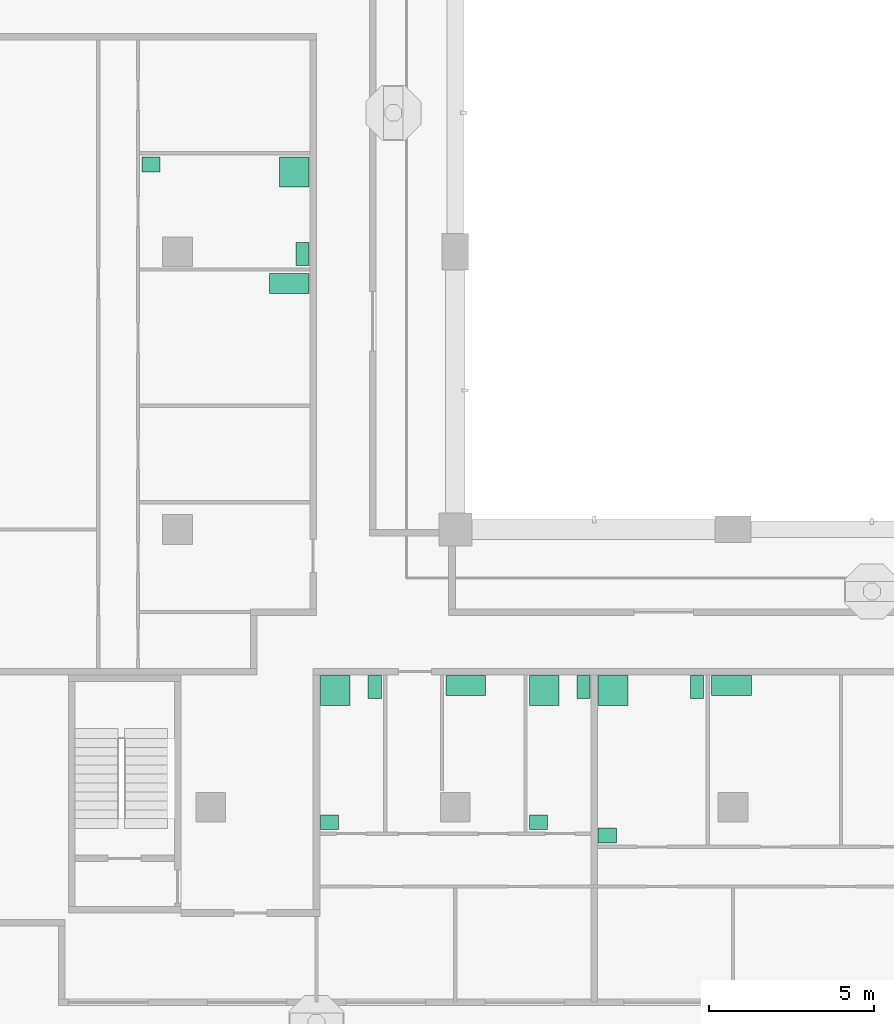
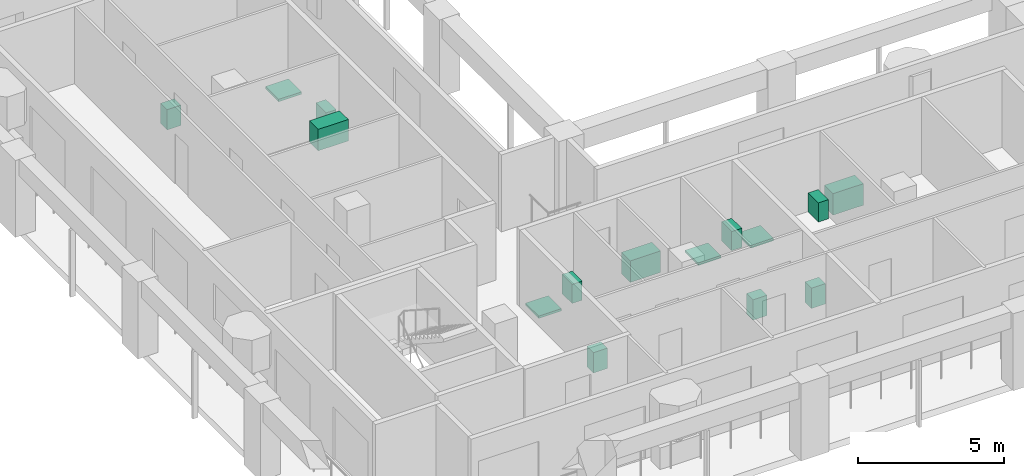
# One storey, part 10 of 12: 15 sanitary terminals.
"""IFC4 building model written with IfcOpenShell, lengths in metres."""

import ifcopenshell
import ifcopenshell.guid

model = None  # the IFC model being written
_history = None  # IfcOwnerHistory: only IFC2X3 demands one
_inside = {}  # id of a spatial element -> (the spatial element, [elements in it])
_under = {}  # id of a project, library or spatial element -> (it, [spatial elements below it])
_declared = {}  # id of a project -> (the project, [libraries it declares])
_typed = {}  # id of a type object -> (the type object, [elements of that type])
_made_of = {}  # id of a material, layer set ... -> (it, [elements and type objects made of it])


def new_model(schema):
    """Start an empty IFC model of exactly this schema.

    Asked for "IFC4X3", IfcOpenShell would pick the latest addendum, in which some entities
    have other attributes; the version numbers below select the first issue.
    IFC2X3 requires an IfcOwnerHistory on every rooted entity: one is made here for all.
    """
    global model, _history
    if schema == "IFC4X3":
        model = ifcopenshell.file(schema_version=(4, 3, 0, 0))
    else:
        model = ifcopenshell.file(schema=schema)
    _inside.clear()
    _under.clear()
    _declared.clear()
    _typed.clear()
    _made_of.clear()
    _history = None
    if model.schema == "IFC2X3":
        org = make("IfcOrganization", Name="unknown")
        user = make(
            "IfcPersonAndOrganization",
            ThePerson=make("IfcPerson", FamilyName="unknown"),
            TheOrganization=org,
        )
        app = make(
            "IfcApplication",
            ApplicationDeveloper=org,
            Version="unknown",
            ApplicationFullName="unknown",
            ApplicationIdentifier="unknown",
        )
        _history = make(
            "IfcOwnerHistory",
            OwningUser=user,
            OwningApplication=app,
            ChangeAction="ADDED",
            CreationDate=0,
        )
    return model


def make(cls, **values):
    """One entity of the class cls with the attributes given. An attribute that is None is left unset."""
    return model.create_entity(
        cls, **{name: value for name, value in values.items() if value is not None}
    )


def rooted(cls, **values):
    """An entity with a GlobalId (a new one), such as an element, a storey or a relation."""
    return make(cls, GlobalId=ifcopenshell.guid.new(), OwnerHistory=_history, **values)


def si_unit(unit_type, name, prefix=None):
    """IfcSIUnit, for example si_unit("LENGTHUNIT", "METRE", prefix="MILLI")."""
    return make("IfcSIUnit", UnitType=unit_type, Prefix=prefix, Name=name)


def assignment(units):
    """IfcUnitAssignment: the units of a project."""
    return None if units is None else make("IfcUnitAssignment", Units=units)


def point(xyz):
    """IfcCartesianPoint."""
    return None if xyz is None else make("IfcCartesianPoint", Coordinates=xyz)


def direction(xyz):
    """IfcDirection."""
    return None if xyz is None else make("IfcDirection", DirectionRatios=xyz)


def frame(location, z_axis=None, x_axis=None):
    """IfcAxis2Placement3D, a coordinate frame: its origin and axes. An axis left out is left unset."""
    return make(
        "IfcAxis2Placement3D",
        Location=point(location),
        Axis=direction(z_axis),
        RefDirection=direction(x_axis),
    )


def frame_2d(location, x_axis=None):
    """IfcAxis2Placement2D, a coordinate frame in the plane: its origin and x axis."""
    return make(
        "IfcAxis2Placement2D", Location=point(location), RefDirection=direction(x_axis)
    )


def origin():
    """The frame at (0, 0, 0) with its axes left unset."""
    return frame((0.0, 0.0, 0.0))


def origin_2d():
    """The frame at (0, 0) in the plane with its x axis left unset."""
    return frame_2d((0.0, 0.0))


def place(relative_to, where):
    """IfcLocalPlacement: puts the frame where relative to a parent placement (None: the world)."""
    return make(
        "IfcLocalPlacement", PlacementRelTo=relative_to, RelativePlacement=where
    )


def context(
    kind, dimensions, precision=None, world=None, true_north=None, identifier=None
):
    """IfcGeometricRepresentationContext, for example the 3D "Model" context."""
    return make(
        "IfcGeometricRepresentationContext",
        ContextIdentifier=identifier,
        ContextType=kind,
        CoordinateSpaceDimension=dimensions,
        Precision=precision,
        WorldCoordinateSystem=world,
        TrueNorth=true_north,
    )


def subcontext(parent, identifier, kind, view, scale=None):
    """IfcGeometricRepresentationSubContext, for example "Body" below "Model"."""
    return make(
        "IfcGeometricRepresentationSubContext",
        ContextIdentifier=identifier,
        ContextType=kind,
        ParentContext=parent,
        TargetScale=scale,
        TargetView=view,
    )


def project(units=None, contexts=None):
    """IfcProject with its units and contexts."""
    return rooted(
        "IfcProject",
        Name="project",
        RepresentationContexts=contexts,
        UnitsInContext=assignment(units),
    )


def spatial(cls, under=None, at=None, **own):
    """A site, building, storey or space (cls), placed at a placement, below another one or the project."""
    s = rooted(cls, ObjectPlacement=at, **own)
    if under is not None:
        _under.setdefault(under.id(), (under, []))[1].append(s)
    return s


def profile(cls, at=None, kind="AREA", **sizes):
    """A parametric profile (cls). Its sizes go by their IFC names, for example OverallWidth=200.0."""
    return make(cls, ProfileType=kind, Position=at, **sizes)


def rectangle(**sizes):
    """IfcRectangleProfileDef."""
    return profile("IfcRectangleProfileDef", **sizes)


def extrude(swept, where, along, depth):
    """IfcExtrudedAreaSolid: the profile swept, set in the frame where, extruded along a direction by depth."""
    return make(
        "IfcExtrudedAreaSolid",
        SweptArea=swept,
        Position=where,
        ExtrudedDirection=direction(along),
        Depth=depth,
    )


def shape(context_of_items, identifier, shape_type, items):
    """IfcShapeRepresentation: the items that make up one representation, for example the "Body"."""
    return make(
        "IfcShapeRepresentation",
        ContextOfItems=context_of_items,
        RepresentationIdentifier=identifier,
        RepresentationType=shape_type,
        Items=items,
    )


def material(Name=None, Category=None):
    """IfcMaterial."""
    return make("IfcMaterial", Name=Name, Category=Category)


def made_of(thing, what):
    """Note that an element or type object is made of a material, layer set ...; save() writes the relation."""
    if what is not None:
        _made_of.setdefault(what.id(), (what, []))[1].append(thing)
    return thing


def element(
    cls,
    number,
    at=None,
    inside=None,
    cuts=None,
    type_object=None,
    material=None,
    context=None,
    identifier="Body",
    shape_type=None,
    held_by="IfcProductDefinitionShape",
    body=None,
    shapes=None,
    **own,
):
    """One element of the class cls, such as IfcWall. Its Tag is "e" and its number.

    at: its placement. inside: the storey or other place that contains it. cuts: it is an
    opening in that element (IfcRelVoidsElement). A single representation is given by context,
    identifier, shape_type and body (its items); several are given by shapes. held_by: the class
    of the entity that holds the representations. save() writes the other relations.
    """
    e = rooted(cls, Tag="e%d" % number, ObjectPlacement=at, **own)
    if body is not None:
        shapes = [shape(context, identifier, shape_type, body)]
    if shapes is not None:
        e.Representation = make(held_by, Representations=shapes)
    if inside is not None:
        _inside.setdefault(inside.id(), (inside, []))[1].append(e)
    if cuts is not None:
        rooted(
            "IfcRelVoidsElement", RelatingBuildingElement=cuts, RelatedOpeningElement=e
        )
    if type_object is not None:
        _typed.setdefault(type_object.id(), (type_object, []))[1].append(e)
    return made_of(e, material)


def aggregate(whole, parts):
    """IfcRelAggregates: a whole, such as a stair, and the parts it consists of."""
    return rooted("IfcRelAggregates", RelatingObject=whole, RelatedObjects=parts)


def save(model, path):
    """Write the relations noted so far, then the file.

    IfcRelAggregates (storeys below a building ...), IfcRelContainedInSpatialStructure (elements
    in a storey), IfcRelDefinesByType, IfcRelAssociatesMaterial and IfcRelDeclares: one each for
    every whole, place, type object, material and project.
    """
    for whole, parts in _under.values():
        aggregate(whole, parts)
    for where, things in _inside.values():
        rooted(
            "IfcRelContainedInSpatialStructure",
            RelatedElements=things,
            RelatingStructure=where,
        )
    for kind, things in _typed.values():
        rooted("IfcRelDefinesByType", RelatedObjects=things, RelatingType=kind)
    for what, things in _made_of.values():
        rooted("IfcRelAssociatesMaterial", RelatedObjects=things, RelatingMaterial=what)
    for by, libraries in _declared.values():
        rooted("IfcRelDeclares", RelatingContext=by, RelatedDefinitions=libraries)
    model.write(path)


model = new_model("IFC4")

# Units and contexts
model_context = context("Model", 3, precision=1e-05, world=origin(), true_north=direction((0.0, 1.0)))
body_context = subcontext(model_context, "Body", "Model", "MODEL_VIEW")
ifc_project = project(units=[si_unit("LENGTHUNIT", "METRE"), si_unit("AREAUNIT", "SQUARE_METRE"), si_unit("VOLUMEUNIT", "CUBIC_METRE"), si_unit("PLANEANGLEUNIT", "RADIAN"), si_unit("MASSUNIT", "GRAM", prefix="KILO")], contexts=[model_context])

# Site, building, storey
site_placement = place(None, origin())
site = spatial("IfcSite", under=ifc_project, at=site_placement, CompositionType="ELEMENT")
building_placement = place(site_placement, origin())
building = spatial("IfcBuilding", under=site, at=building_placement, Name="Vermilion Gate Residences", CompositionType="ELEMENT")
storey_placement = place(building_placement, frame((0.0, 0.0, 238.699951171875)))
storey = spatial("IfcBuildingStorey", under=building, at=storey_placement, Name="L62", CompositionType="ELEMENT", Elevation=238.699951171875)

# Sanitary terminals
ifc_material_1 = material(Name="Vitreous china")
sanitary_terminal_1_placement = place(storey_placement, frame((21.570068359375, 20.330078125, 0.0), z_axis=(0.0, 0.0, 1.0), x_axis=(1.0, 0.0, 0.0)))
element("IfcSanitaryTerminal", 1, at=sanitary_terminal_1_placement, inside=storey, material=ifc_material_1, Name="Shower tray", PredefinedType="SHOWER", context=body_context, shape_type="SweptSolid", body=[
    extrude(rectangle(XDim=0.89990234375, YDim=0.89990234375, at=origin_2d()), origin(), (0.0, 0.0, 1.0), 0.10009765625),
])
sanitary_terminal_2_placement = place(storey_placement, frame((22.760009765625, 20.429931640625, 0.0), z_axis=(0.0, 0.0, 1.0), x_axis=(1.0, 0.0, 0.0)))
element("IfcSanitaryTerminal", 2, at=sanitary_terminal_2_placement, inside=storey, material=ifc_material_1, Name="Toilet", PredefinedType="TOILETPAN", context=body_context, shape_type="SweptSolid", body=[
    extrude(rectangle(XDim=0.39990234375, YDim=0.699951171875, at=origin_2d()), origin(), (0.0, 0.0, 1.0), 0.800048828125),
])
sanitary_terminal_3_placement = place(storey_placement, frame((21.39501953125, 16.344970703125, 0.0), z_axis=(0.0, 0.0, 1.0), x_axis=(1.0, 0.0, 0.0)))
element("IfcSanitaryTerminal", 3, at=sanitary_terminal_3_placement, inside=storey, material=ifc_material_1, Name="Wash basin", PredefinedType="WASHHANDBASIN", context=body_context, shape_type="SweptSolid", body=[
    extrude(rectangle(XDim=0.550048828125, YDim=0.449951171875, at=origin_2d()), origin(), (0.0, 0.0, 1.0), 0.85009765625),
])
ifc_material_2 = material(Name="Stainless steel", Category="steel")
sanitary_terminal_4_placement = place(storey_placement, frame((25.52001953125, 20.47998046875, 0.0), z_axis=(0.0, 0.0, 1.0), x_axis=(1.0, 0.0, 0.0)))
element("IfcSanitaryTerminal", 4, at=sanitary_terminal_4_placement, inside=storey, material=ifc_material_2, Name="Kitchen sink", PredefinedType="SINK", context=body_context, shape_type="SweptSolid", body=[
    extrude(rectangle(XDim=1.199951171875, YDim=0.60009765625, at=origin_2d()), origin(), (0.0, 0.0, 1.0), 0.89990234375),
])
sanitary_terminal_5_placement = place(storey_placement, frame((27.889892578125, 20.330078125, 0.0), z_axis=(0.0, 0.0, 1.0), x_axis=(1.0, 0.0, 0.0)))
element("IfcSanitaryTerminal", 5, at=sanitary_terminal_5_placement, inside=storey, material=ifc_material_1, Name="Shower tray", PredefinedType="SHOWER", context=body_context, shape_type="SweptSolid", body=[
    extrude(rectangle(XDim=0.89990234375, YDim=0.89990234375, at=origin_2d()), origin(), (0.0, 0.0, 1.0), 0.10009765625),
])
sanitary_terminal_6_placement = place(storey_placement, frame((29.080078125, 20.429931640625, 0.0), z_axis=(0.0, 0.0, 1.0), x_axis=(1.0, 0.0, 0.0)))
element("IfcSanitaryTerminal", 6, at=sanitary_terminal_6_placement, inside=storey, material=ifc_material_1, Name="Toilet", PredefinedType="TOILETPAN", context=body_context, shape_type="SweptSolid", body=[
    extrude(rectangle(XDim=0.39990234375, YDim=0.699951171875, at=origin_2d()), origin(), (0.0, 0.0, 1.0), 0.800048828125),
])
sanitary_terminal_7_placement = place(storey_placement, frame((27.715087890625, 16.344970703125, 0.0), z_axis=(0.0, 0.0, 1.0), x_axis=(1.0, 0.0, 0.0)))
element("IfcSanitaryTerminal", 7, at=sanitary_terminal_7_placement, inside=storey, material=ifc_material_1, Name="Wash basin", PredefinedType="WASHHANDBASIN", context=body_context, shape_type="SweptSolid", body=[
    extrude(rectangle(XDim=0.550048828125, YDim=0.449951171875, at=origin_2d()), origin(), (0.0, 0.0, 1.0), 0.85009765625),
])
sanitary_terminal_8_placement = place(storey_placement, frame((29.969970703125, 20.330078125, 0.0), z_axis=(0.0, 0.0, 1.0), x_axis=(1.0, 0.0, 0.0)))
element("IfcSanitaryTerminal", 8, at=sanitary_terminal_8_placement, inside=storey, material=ifc_material_1, Name="Shower tray", PredefinedType="SHOWER", context=body_context, shape_type="SweptSolid", body=[
    extrude(rectangle(XDim=0.89990234375, YDim=0.89990234375, at=origin_2d()), origin(), (0.0, 0.0, 1.0), 0.10009765625),
])
sanitary_terminal_9_placement = place(storey_placement, frame((32.512939453125, 20.429931640625, 0.0), z_axis=(0.0, 0.0, 1.0), x_axis=(1.0, 0.0, 0.0)))
element("IfcSanitaryTerminal", 9, at=sanitary_terminal_9_placement, inside=storey, material=ifc_material_1, Name="Toilet", PredefinedType="TOILETPAN", context=body_context, shape_type="SweptSolid", body=[
    extrude(rectangle(XDim=0.39990234375, YDim=0.699951171875, at=origin_2d()), origin(), (0.0, 0.0, 1.0), 0.800048828125),
])
sanitary_terminal_10_placement = place(storey_placement, frame((29.794921875, 15.945068359375, 0.0), z_axis=(0.0, 0.0, 1.0), x_axis=(1.0, 0.0, 0.0)))
element("IfcSanitaryTerminal", 10, at=sanitary_terminal_10_placement, inside=storey, material=ifc_material_1, Name="Wash basin", PredefinedType="WASHHANDBASIN", context=body_context, shape_type="SweptSolid", body=[
    extrude(rectangle(XDim=0.550048828125, YDim=0.449951171875, at=origin_2d()), origin(), (0.0, 0.0, 1.0), 0.85009765625),
])
for number, where, z_axis, x_axis, name in (
    (11, (33.552978515625, 20.47998046875, 0.0), (0.0, 0.0, 1.0), (1.0, 0.0, 0.0), "Kitchen sink"),
    (12, (20.179931640625, 32.639892578125, 0.0), (0.0, 0.0, 1.0), (1.0, 0.0, 0.0), "Kitchen sink"),
):
    element("IfcSanitaryTerminal", number, at=place(storey_placement, frame(where, z_axis=z_axis, x_axis=x_axis)), inside=storey, material=ifc_material_2, Name=name, PredefinedType="SINK", context=body_context, shape_type="SweptSolid", body=[
        extrude(rectangle(XDim=1.199951171875, YDim=0.60009765625, at=origin_2d()), origin(), (0.0, 0.0, 1.0), 0.89990234375),
    ])
sanitary_terminal_11_placement = place(storey_placement, frame((20.330078125, 36.010009765625, 0.0), z_axis=(0.0, 0.0, 1.0), x_axis=(1.0, 0.0, 0.0)))
element("IfcSanitaryTerminal", 13, at=sanitary_terminal_11_placement, inside=storey, material=ifc_material_1, Name="Shower tray", PredefinedType="SHOWER", context=body_context, shape_type="SweptSolid", body=[
    extrude(rectangle(XDim=0.89990234375, YDim=0.89990234375, at=origin_2d()), origin(), (0.0, 0.0, 1.0), 0.10009765625),
])
sanitary_terminal_12_placement = place(storey_placement, frame((20.580078125, 33.530029296875, 0.0), z_axis=(0.0, 0.0, 1.0), x_axis=(1.0, 0.0, 0.0)))
element("IfcSanitaryTerminal", 14, at=sanitary_terminal_12_placement, inside=storey, material=ifc_material_1, Name="Toilet", PredefinedType="TOILETPAN", context=body_context, shape_type="SweptSolid", body=[
    extrude(rectangle(XDim=0.39990234375, YDim=0.699951171875, at=origin_2d()), origin(), (0.0, 0.0, 1.0), 0.800048828125),
])
sanitary_terminal_13_placement = place(storey_placement, frame((15.9951171875, 36.235107421875, 0.0), z_axis=(0.0, 0.0, 1.0), x_axis=(1.0, 0.0, 0.0)))
element("IfcSanitaryTerminal", 15, at=sanitary_terminal_13_placement, inside=storey, material=ifc_material_1, Name="Wash basin", PredefinedType="WASHHANDBASIN", context=body_context, shape_type="SweptSolid", body=[
    extrude(rectangle(XDim=0.550048828125, YDim=0.449951171875, at=origin_2d()), origin(), (0.0, 0.0, 1.0), 0.85009765625),
])

save(model, "model.ifc")
